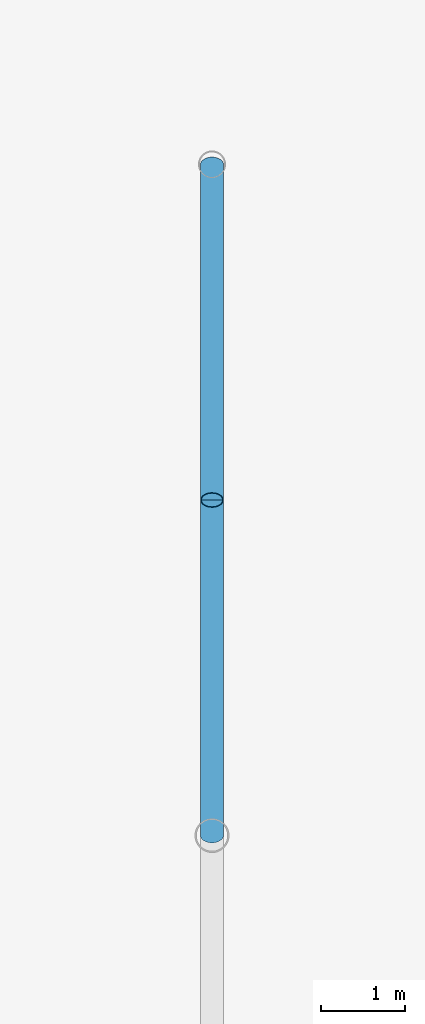
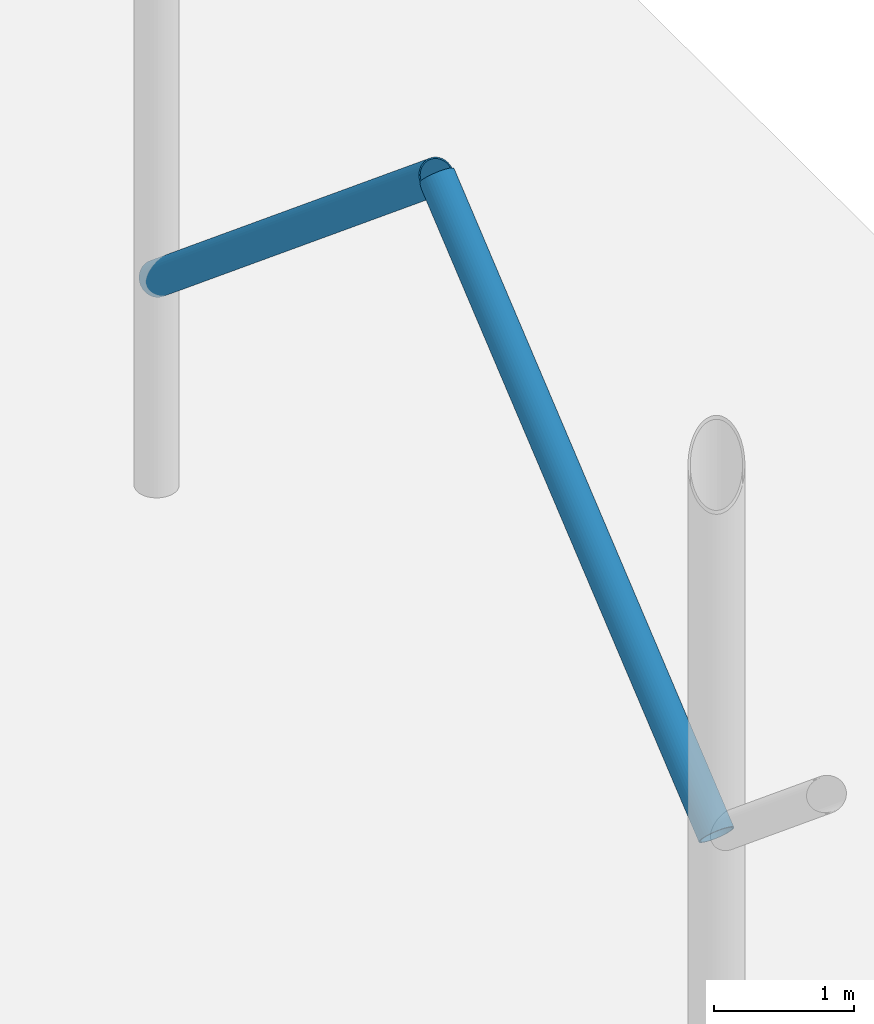
# One storey, part 62 of 123: 2 members.
"""IFC4 building model written with IfcOpenShell, lengths in metres."""

from ifc_helpers import new_model, si_unit, direction, frame, origin, origin_2d, place, context, subcontext, project, spatial, hollow_circle, extrude, material, material_profile, profile_set, type_object, element, save


model = new_model("IFC4")

# Units and contexts
model_context = context("Model", 3, precision=1e-05, world=origin(), true_north=direction((0.0, 1.0)))
body_context = subcontext(model_context, "Body", "Model", "MODEL_VIEW")
ifc_project = project(units=[si_unit("LENGTHUNIT", "METRE"), si_unit("AREAUNIT", "SQUARE_METRE"), si_unit("VOLUMEUNIT", "CUBIC_METRE"), si_unit("PLANEANGLEUNIT", "RADIAN"), si_unit("MASSUNIT", "GRAM", prefix="KILO")], contexts=[model_context])

# Site, building, storey
site_placement = place(None, origin())
site = spatial("IfcSite", under=ifc_project, at=site_placement, CompositionType="ELEMENT")
building_placement = place(site_placement, origin())
building = spatial("IfcBuilding", under=site, at=building_placement, Name="Tenunan Teduh Sports Hall", CompositionType="ELEMENT")
storey_placement = place(building_placement, origin())
storey = spatial("IfcBuildingStorey", under=building, at=storey_placement, Name="L00", CompositionType="ELEMENT", Elevation=0.0)

# Members
ifc_material = material(Name="Steel S355", Category="steel")
ifc_material_profile = material_profile(ifc_material, hollow_circle(Radius=0.136474609375, WallThickness=0.010009765625, at=origin_2d()), Name="CHS 273.0x10.0")
ifc_profile_set = profile_set([ifc_material_profile], Name="Steel S355")
member_type = type_object("IfcMemberType", Name="MEM-ST-CHS273", PredefinedType="STRUT", material=ifc_profile_set)
for number, where, z_axis, x_axis, name in (
    (1, (170.0, 102.0, 1.800048828125), (0.0, 0.76947477025, 0.638677209511), (-1.0, 0.0, 0.0), "MEM-VS-04-L00-1030"),
    (2, (170.0, 110.0, 1.800048828125), (0.0, -0.76947477025, 0.638677209511), (1.0, 0.0, 0.0), "MEM-VS-04-L00-1031"),
):
    element("IfcMember", number, at=place(storey_placement, frame(where, z_axis=z_axis, x_axis=x_axis)), inside=storey, type_object=member_type, Name=name, PredefinedType="STRUT", context=body_context, shape_type="SweptSolid", body=[
        extrude(hollow_circle(Radius=0.136474609375, WallThickness=0.010009765625, at=origin_2d()), origin(), (0.0, 0.0, 1.0), 5.1982421875),
    ])

save(model, "model.ifc")
